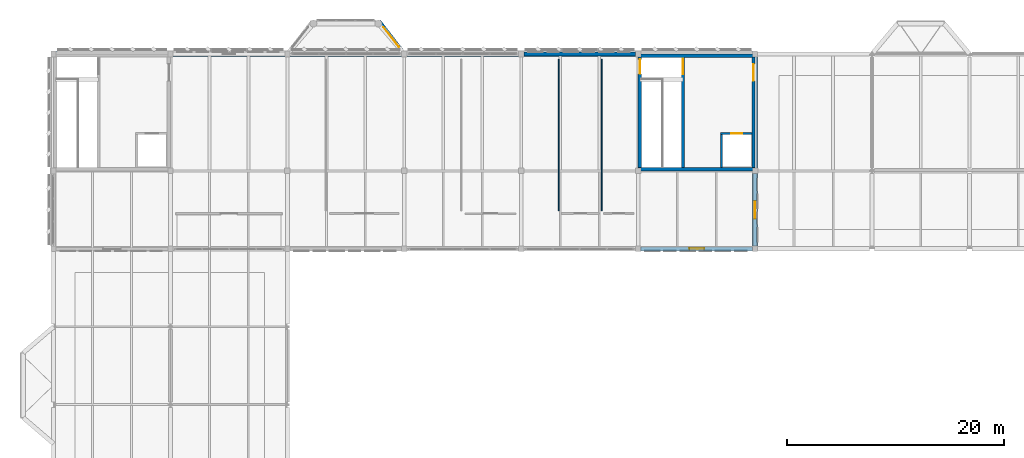
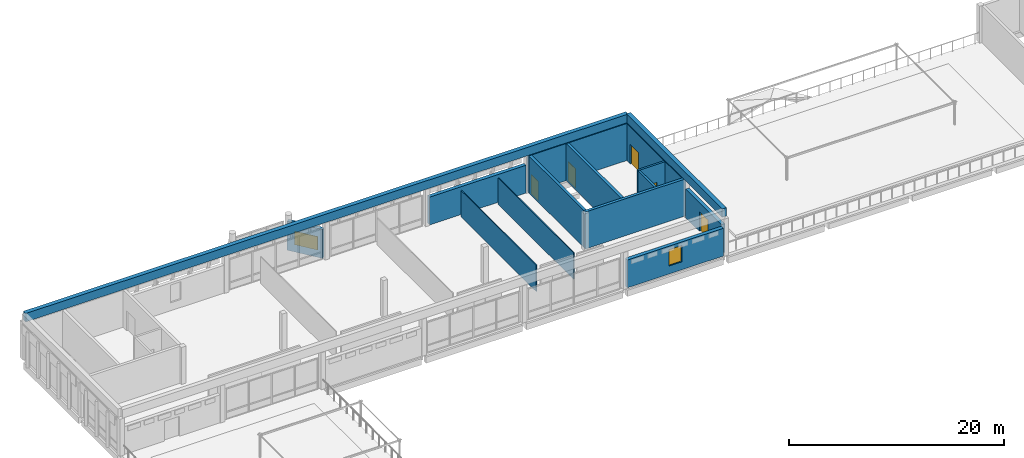
# One storey, part 26 of 33: 15 walls, 5 doors, 2 windows, 7 openings.
"""IFC4 building model written with IfcOpenShell, lengths in metres."""

from ifc_helpers import new_model, si_unit, direction, frame, frame_2d, origin, place, context, subcontext, project, spatial, rectangle, extrude, material, layer, layer_set, type_object, element, fill, save


model = new_model("IFC4")

# Units and contexts
model_context = context("Model", 3, precision=1e-05, world=origin(), true_north=direction((0.0, 1.0)))
body_context = subcontext(model_context, "Body", "Model", "MODEL_VIEW")
ifc_project = project(units=[si_unit("LENGTHUNIT", "METRE"), si_unit("AREAUNIT", "SQUARE_METRE"), si_unit("VOLUMEUNIT", "CUBIC_METRE"), si_unit("PLANEANGLEUNIT", "RADIAN"), si_unit("MASSUNIT", "GRAM", prefix="KILO")], contexts=[model_context])

# Site, building, storey
site_placement = place(None, origin())
site = spatial("IfcSite", under=ifc_project, at=site_placement, CompositionType="ELEMENT")
building_placement = place(site_placement, origin())
building = spatial("IfcBuilding", under=site, at=building_placement, Name="Lusvemor Sports Hall", CompositionType="ELEMENT")
storey_placement = place(building_placement, frame((0.0, 0.0, 19.199951171875)))
storey = spatial("IfcBuildingStorey", under=building, at=storey_placement, Name="L04", CompositionType="ELEMENT", Elevation=19.199951171875)

# Wall
ifc_material_1 = material(Name="Warm terracotta Art Nouveau ceramic cladding on Concrete C40/50 backing", Category="masonry")
ifc_layer_1 = layer(ifc_material_1, 0.3798828125)
ifc_layer_set_1 = layer_set([ifc_layer_1], Name="Warm terracotta Art Nouveau ceramic cladding on Concrete C40/50 backing")
wall_type_1 = type_object("IfcWallType", Name="EW_UPPER_250", PredefinedType="STANDARD", material=ifc_layer_set_1)
wall_1_placement = place(storey_placement, frame((43.43603515625, 115.199951171875, 0.0), z_axis=(0.0, 0.0, 1.0), x_axis=(1.0, 0.0, 0.0)))
element("IfcWall", 1, at=wall_1_placement, inside=storey, type_object=wall_type_1, Name="Exterior Wall EW-L04-N-1-4", PredefinedType="STANDARD", context=body_context, shape_type="SweptSolid", body=[
    extrude(rectangle(XDim=10.327880859375, YDim=0.3798828125, at=frame_2d((5.1640625, 0.0))), origin(), (0.0, 0.0, 1.0), 3.155029296875),
])

# Wall, opening, door
wall_2_placement = place(storey_placement, frame((64.800048828125, 104.154052734375, 0.0), z_axis=(0.0, 0.0, 1.0), x_axis=(0.0, -1.0, 0.0)))
wall_2 = element("IfcWall", 2, at=wall_2_placement, inside=storey, type_object=wall_type_1, Name="Exterior Wall EW-L04-E-2-0", PredefinedType="STANDARD", context=body_context, shape_type="SweptSolid", body=[
    extrude(rectangle(XDim=6.68798828125, YDim=0.3798828125, at=frame_2d((3.343994140625, 0.0))), origin(), (0.0, 0.0, 1.0), 3.2451171875),
])
opening_1_placement = place(wall_2_placement, frame((2.5439453125, 0.0, 0.0)))
opening_1 = element("IfcOpeningElement", 3, at=opening_1_placement, cuts=wall_2, Name="Opening ED09", PredefinedType="OPENING", context=body_context, shape_type="SweptSolid", body=[
    extrude(rectangle(XDim=1.6201171875, YDim=2.260009765625, at=frame_2d((0.81005859375, 1.1298828125))), frame((0.0, 0.18994140625, 0.0), z_axis=(0.0, -1.0, 0.0), x_axis=(1.0, 0.0, 0.0)), (0.0, 0.0, 1.0), 0.3798828125),
])
ifc_material_2 = material(Name="Thermally broken bronze-anodized aluminium", Category="aluminium")
door_type_1 = type_object("IfcDoorType", Name="EDR_GARDEN_162x226", OperationType="NOTDEFINED", PredefinedType="DOOR", material=ifc_material_2)
door_1_placement = place(opening_1_placement, origin())
door_1 = element("IfcDoor", 4, at=door_1_placement, inside=storey, type_object=door_type_1, Name="DR-035", OperationType="SINGLE_SWING_LEFT", OverallHeight=2.260009765625, OverallWidth=1.6201171875, PredefinedType="DOOR", context=body_context, shape_type="SweptSolid", body=[
    extrude(rectangle(XDim=1.6201171875, YDim=2.260009765625, at=frame_2d((0.81005859375, 1.1298828125))), frame((0.0, 0.02490234375, 0.0), z_axis=(0.0, -1.0, 0.0), x_axis=(1.0, 0.0, 0.0)), (0.0, 0.0, 1.0), 0.050048828125),
])
fill(opening_1, door_1)

# Wall, opening, window
wall_3_placement = place(storey_placement, frame((64.56396484375, 97.199951171875, 0.0), z_axis=(0.0, 0.0, 1.0), x_axis=(-1.0, 0.0, 0.0)))
wall_3 = element("IfcWall", 5, at=wall_3_placement, inside=storey, type_object=wall_type_1, Name="Exterior Wall EW-L04-S-3-5", PredefinedType="STANDARD", context=body_context, shape_type="SweptSolid", body=[
    extrude(rectangle(XDim=10.327880859375, YDim=0.3798828125, at=frame_2d((5.1640625, 0.0))), origin(), (0.0, 0.0, 1.0), 3.155029296875),
])
opening_2_placement = place(wall_3_placement, frame((4.48388671875, 0.0, 0.89990234375)))
opening_2 = element("IfcOpeningElement", 6, at=opening_2_placement, cuts=wall_3, Name="Opening WN32", PredefinedType="OPENING", context=body_context, shape_type="SweptSolid", body=[
    extrude(rectangle(XDim=1.360107421875, YDim=1.860107421875, at=frame_2d((0.68017578125, 0.93017578125))), frame((0.0, 0.18994140625, 0.0), z_axis=(0.0, -1.0, 0.0), x_axis=(1.0, 0.0, 0.0)), (0.0, 0.0, 1.0), 0.3798828125),
])
ifc_material_3 = material(Name="Solar-control laminated double glazing", Category="glass")
window_type_1 = type_object("IfcWindowType", Name="WIN_32", PartitioningType="SINGLE_PANEL", PredefinedType="WINDOW", material=ifc_material_3)
window_1_placement = place(opening_2_placement, origin())
window_1 = element("IfcWindow", 7, at=window_1_placement, inside=storey, type_object=window_type_1, Name="Wing Window L04-S-3-5", OverallHeight=1.860107421875, OverallWidth=1.360107421875, PartitioningType="SINGLE_PANEL", PredefinedType="WINDOW", context=body_context, shape_type="SweptSolid", body=[
    extrude(rectangle(XDim=1.360107421875, YDim=1.860107421875, at=frame_2d((0.68017578125, 0.93017578125))), frame((0.0, 0.030029296875, 0.0), z_axis=(0.0, -1.0, 0.0), x_axis=(1.0, 0.0, 0.0)), (0.0, 0.0, 1.0), 0.06005859375),
])
fill(opening_2, window_1)

ifc_material_4 = material(Name="Emerald polychrome glazed ceramic cladding on Concrete C40/50 backing", Category="concrete")
ifc_layer_2 = layer(ifc_material_4, 0.364990234375)
ifc_layer_set_2 = layer_set([ifc_layer_2], Name="Emerald polychrome glazed ceramic cladding on Concrete C40/50 backing")
wall_type_2 = type_object("IfcWallType", Name="EW_WAVE_CER_365", PredefinedType="STANDARD", material=ifc_layer_set_2)
wall_4_placement = place(storey_placement, frame((30.073486328125, 118.205078125, 0.0), z_axis=(0.0, 0.0, 1.0), x_axis=(0.612206385164, -0.790698009334, 0.0)))
wall_4 = element("IfcWall", 8, at=wall_4_placement, inside=storey, type_object=wall_type_2, Name="Art Nouveau Bow Wall EW-BOW-N1-L04-3", PredefinedType="STANDARD", context=body_context, shape_type="SweptSolid", body=[
    extrude(rectangle(XDim=3.560302734375, YDim=0.364990234375, at=frame_2d((1.7802734375, 0.0))), origin(), (0.0, 0.0, 1.0), 3.280029296875),
])
opening_3_placement = place(wall_4_placement, frame((0.679931640625, 0.0, 0.699951171875)))
opening_3 = element("IfcOpeningElement", 9, at=opening_3_placement, cuts=wall_4, Name="Opening WN21", PredefinedType="OPENING", context=body_context, shape_type="SweptSolid", body=[
    extrude(rectangle(XDim=2.320068359375, YDim=1.52001953125, at=frame_2d((1.16015625, 0.760009765625))), frame((0.0, 0.1826171875, 0.0), z_axis=(0.0, -1.0, 0.0), x_axis=(1.0, 0.0, 0.0)), (0.0, 0.0, 1.0), 0.364990234375),
])
ifc_material_5 = material(Name="Solar-control laminated double glazing", Category="glass")
window_type_2 = type_object("IfcWindowType", Name="WIN_21", PartitioningType="SINGLE_PANEL", PredefinedType="WINDOW", material=ifc_material_5)
window_2_placement = place(opening_3_placement, origin())
window_2 = element("IfcWindow", 10, at=window_2_placement, inside=storey, type_object=window_type_2, Name="Art Nouveau Bow Window BOW-N1 L04-3", OverallHeight=1.52001953125, OverallWidth=2.320068359375, PartitioningType="SINGLE_PANEL", PredefinedType="WINDOW", context=body_context, shape_type="SweptSolid", body=[
    extrude(rectangle(XDim=2.320068359375, YDim=1.52001953125, at=frame_2d((1.16015625, 0.760009765625))), frame((0.0, 0.030029296875, 0.0), z_axis=(0.0, -1.0, 0.0), x_axis=(1.0, 0.0, 0.0)), (0.0, 0.0, 1.0), 0.06005859375),
])
fill(opening_3, window_2)

# Walls
ifc_material_6 = material(Name="Double-leaf acoustic gypsum board on metal studs")
ifc_layer_3 = layer(ifc_material_6, 0.10009765625)
ifc_layer_set_3 = layer_set([ifc_layer_3], Name="Double-leaf acoustic gypsum board on metal studs")
wall_type_3 = type_object("IfcWallType", Name="IW_PART_108", PredefinedType="STANDARD", material=ifc_layer_set_3)
for number, where, z_axis, x_axis, name in (
    (11, (46.64990234375, 100.699951171875, 0.0), (0.0, 0.0, 1.0), (0.0, 1.0, 0.0), "Partition IW-L04-CNNDIV-46"),
    (12, (50.64990234375, 100.699951171875, 0.0), (0.0, 0.0, 1.0), (0.0, 1.0, 0.0), "Partition IW-L04-CNNDIV-50"),
):
    element("IfcWall", number, at=place(storey_placement, frame(where, z_axis=z_axis, x_axis=x_axis)), inside=storey, type_object=wall_type_3, Name=name, PredefinedType="STANDARD", context=body_context, shape_type="SweptSolid", body=[
        extrude(rectangle(XDim=14.0, YDim=0.10009765625, at=frame_2d((7.0, 0.0))), origin(), (0.0, 0.0, 1.0), 3.0),
    ])

# Wall, opening, door
ifc_material_7 = material(Name="Concrete C40/50", Category="concrete")
ifc_layer_4 = layer(ifc_material_7, 0.2099609375)
ifc_layer_set_4 = layer_set([ifc_layer_4], Name="Concrete C40/50")
wall_type_4 = type_object("IfcWallType", Name="IW_SHFT_212", PredefinedType="STANDARD", material=ifc_layer_set_4)
wall_5_placement = place(storey_placement, frame((61.590087890625, 107.85009765625, 0.0), z_axis=(0.0, 0.0, 1.0), x_axis=(1.0, 0.0, 0.0)))
wall_5 = element("IfcWall", 13, at=wall_5_placement, inside=storey, type_object=wall_type_4, Name="Lift LP-01 Shaft Front Wall (L04)", PredefinedType="STANDARD", context=body_context, shape_type="SweptSolid", body=[
    extrude(rectangle(XDim=2.909912109375, YDim=0.2099609375, at=frame_2d((1.455078125, 0.0))), origin(), (0.0, 0.0, 1.0), 4.199951171875),
])
opening_4_placement = place(wall_5_placement, frame((0.989990234375, 0.0, 0.0)))
opening_4 = element("IfcOpeningElement", 14, at=opening_4_placement, cuts=wall_5, Name="Opening LD-02", PredefinedType="OPENING", context=body_context, shape_type="SweptSolid", body=[
    extrude(rectangle(XDim=1.0400390625, YDim=2.159912109375, at=frame_2d((0.52001953125, 1.080078125))), frame((0.0, 0.10498046875, 0.0), z_axis=(0.0, -1.0, 0.0), x_axis=(1.0, 0.0, 0.0)), (0.0, 0.0, 1.0), 0.2099609375),
])
ifc_material_8 = material(Name="Brushed stainless-steel sliding lift landing door", Category="steel")
door_type_2 = type_object("IfcDoorType", Name="LIFT_DOOR_PAX_104", OperationType="NOTDEFINED", PredefinedType="DOOR", material=ifc_material_8)
door_2_placement = place(opening_4_placement, origin())
door_2 = element("IfcDoor", 15, at=door_2_placement, inside=storey, type_object=door_type_2, Name="DR-056", OperationType="SLIDING_TO_LEFT", OverallHeight=2.159912109375, OverallWidth=1.0400390625, PredefinedType="DOOR", context=body_context, shape_type="SweptSolid", body=[
    extrude(rectangle(XDim=1.0400390625, YDim=2.159912109375, at=frame_2d((0.52001953125, 1.080078125))), frame((0.0, 0.02490234375, 0.0), z_axis=(0.0, -1.0, 0.0), x_axis=(1.0, 0.0, 0.0)), (0.0, 0.0, 1.0), 0.050048828125),
])
fill(opening_4, door_2)

# Walls
wall_6_placement = place(storey_placement, frame((61.695068359375, 104.699951171875, 0.0), z_axis=(0.0, 0.0, 1.0), x_axis=(0.0, 1.0, 0.0)))
element("IfcWall", 16, at=wall_6_placement, inside=storey, type_object=wall_type_4, Name="Lift LP-01 Shaft Side Wall (L04)", PredefinedType="STANDARD", context=body_context, shape_type="SweptSolid", body=[
    extrude(rectangle(XDim=3.045166015625, YDim=0.2099609375, at=frame_2d((1.5224609375, 0.0))), origin(), (0.0, 0.0, 1.0), 4.199951171875),
])
ifc_material_9 = material(Name="Precast concrete C40/50", Category="concrete")
ifc_layer_5 = layer(ifc_material_9, 0.43994140625)
ifc_layer_set_5 = layer_set([ifc_layer_5], Name="Precast concrete C40/50")
wall_type_5 = type_object("IfcWallType", Name="PARAPET_ROOF_190", PredefinedType="PARAPET", material=ifc_layer_set_5)
wall_7_placement = place(storey_placement, frame((0.10009765625, 115.199951171875, 4.199951171875), z_axis=(0.0, 0.0, 1.0), x_axis=(1.0, 0.0, 0.0)))
element("IfcWall", 17, at=wall_7_placement, inside=storey, type_object=wall_type_5, Name="Exterior Wall PW-V5NW-N", PredefinedType="PARAPET", context=body_context, shape_type="SweptSolid", body=[
    extrude(rectangle(XDim=64.599853515625, YDim=0.43994140625, at=frame_2d((32.2998046875, 0.0))), origin(), (0.0, 0.0, 1.0), 0.9501953125),
])
wall_8_placement = place(storey_placement, frame((64.800048828125, 115.10009765625, 4.199951171875), z_axis=(0.0, 0.0, 1.0), x_axis=(0.0, -1.0, 0.0)))
element("IfcWall", 18, at=wall_8_placement, inside=storey, type_object=wall_type_5, Name="Exterior Wall PW-V5NW-E", PredefinedType="PARAPET", context=body_context, shape_type="SweptSolid", body=[
    extrude(rectangle(XDim=17.800048828125, YDim=0.43994140625, at=frame_2d((8.89990234375, 0.0))), origin(), (0.0, 0.0, 1.0), 0.9501953125),
])
ifc_material_10 = material(Name="Concrete C40/50", Category="concrete")
ifc_layer_6 = layer(ifc_material_10, 0.300048828125)
ifc_layer_set_6 = layer_set([ifc_layer_6], Name="Concrete C40/50")
wall_type_6 = type_object("IfcWallType", Name="WALL_CORE_300_INT", PredefinedType="SHEAR", material=ifc_layer_set_6)
wall_9_placement = place(storey_placement, frame((64.800048828125, 104.550048828125, 0.0), z_axis=(0.0, 0.0, 1.0), x_axis=(-1.0, 0.0, 0.0)))
element("IfcWall", 19, at=wall_9_placement, inside=storey, type_object=wall_type_6, Name="Core C2 North-West-Mid Shear Wall S (L04)", PredefinedType="SHEAR", context=body_context, shape_type="SweptSolid", body=[
    extrude(rectangle(XDim=10.800048828125, YDim=0.300048828125, at=frame_2d((5.39990234375, 0.0))), origin(), (0.0, 0.0, 1.0), 4.199951171875),
])

# Wall, opening, door
wall_10_placement = place(storey_placement, frame((54.14990234375, 104.699951171875, 0.0), z_axis=(0.0, 0.0, 1.0), x_axis=(0.0, 1.0, 0.0)))
wall_10 = element("IfcWall", 20, at=wall_10_placement, inside=storey, type_object=wall_type_6, Name="Core C2 North-West-Mid Shear Wall W (L04)", PredefinedType="SHEAR", context=body_context, shape_type="SweptSolid", body=[
    extrude(rectangle(XDim=10.199951171875, YDim=0.300048828125, at=frame_2d((5.10009765625, 0.0))), origin(), (0.0, 0.0, 1.0), 4.199951171875),
])
opening_5_placement = place(wall_10_placement, frame((8.659912109375, 0.0, 0.0)))
opening_5 = element("IfcOpeningElement", 21, at=opening_5_placement, cuts=wall_10, Name="Opening DR-FD90-02", PredefinedType="OPENING", context=body_context, shape_type="SweptSolid", body=[
    extrude(rectangle(XDim=1.340087890625, YDim=2.179931640625, at=frame_2d((0.669921875, 1.08984375))), frame((0.0, 0.14990234375, 0.0), z_axis=(0.0, -1.0, 0.0), x_axis=(1.0, 0.0, 0.0)), (0.0, 0.0, 1.0), 0.300048828125),
])
ifc_material_11 = material(Name="Fire-rated insulated painted steel door assembly", Category="steel")
door_type_3 = type_object("IfcDoorType", Name="IDR_STAIR_FD90_134", OperationType="NOTDEFINED", PredefinedType="DOOR", material=ifc_material_11)
door_3_placement = place(opening_5_placement, origin())
door_3 = element("IfcDoor", 22, at=door_3_placement, inside=storey, type_object=door_type_3, Name="DR-067", OperationType="SINGLE_SWING_LEFT", OverallHeight=2.179931640625, OverallWidth=1.340087890625, PredefinedType="DOOR", context=body_context, shape_type="SweptSolid", body=[
    extrude(rectangle(XDim=1.340087890625, YDim=2.179931640625, at=frame_2d((0.669921875, 1.08984375))), frame((0.0, 0.02490234375, 0.0), z_axis=(0.0, -1.0, 0.0), x_axis=(1.0, 0.0, 0.0)), (0.0, 0.0, 1.0), 0.050048828125),
])
fill(opening_5, door_3)

wall_11_placement = place(storey_placement, frame((64.64990234375, 114.89990234375, 0.0), z_axis=(0.0, 0.0, 1.0), x_axis=(0.0, -1.0, 0.0)))
wall_11 = element("IfcWall", 23, at=wall_11_placement, inside=storey, type_object=wall_type_6, Name="Core C2 North-West-Mid Shear Wall E (L04)", PredefinedType="SHEAR", context=body_context, shape_type="SweptSolid", body=[
    extrude(rectangle(XDim=10.199951171875, YDim=0.300048828125, at=frame_2d((5.10009765625, 0.0))), origin(), (0.0, 0.0, 1.0), 4.199951171875),
])
opening_6_placement = place(wall_11_placement, frame((0.64990234375, 0.0, 0.0)))
opening_6 = element("IfcOpeningElement", 24, at=opening_6_placement, cuts=wall_11, Name="Opening DR-FD60-01", PredefinedType="OPENING", context=body_context, shape_type="SweptSolid", body=[
    extrude(rectangle(XDim=1.5400390625, YDim=2.219970703125, at=frame_2d((0.77001953125, 1.10986328125))), frame((0.0, 0.14990234375, 0.0), z_axis=(0.0, -1.0, 0.0), x_axis=(1.0, 0.0, 0.0)), (0.0, 0.0, 1.0), 0.300048828125),
])
ifc_material_12 = material(Name="Fire-rated insulated painted steel door assembly", Category="steel")
door_type_4 = type_object("IfcDoorType", Name="IDR_LOBBY_FD60_154", OperationType="NOTDEFINED", PredefinedType="DOOR", material=ifc_material_12)
door_4_placement = place(opening_6_placement, origin())
door_4 = element("IfcDoor", 25, at=door_4_placement, inside=storey, type_object=door_type_4, Name="DR-066", OperationType="SINGLE_SWING_RIGHT", OverallHeight=2.219970703125, OverallWidth=1.5400390625, PredefinedType="DOOR", context=body_context, shape_type="SweptSolid", body=[
    extrude(rectangle(XDim=1.5400390625, YDim=2.219970703125, at=frame_2d((0.77001953125, 1.10986328125))), frame((0.0, 0.02490234375, 0.0), z_axis=(0.0, -1.0, 0.0), x_axis=(1.0, 0.0, 0.0)), (0.0, 0.0, 1.0), 0.050048828125),
])
fill(opening_6, door_4)

wall_12_placement = place(storey_placement, frame((58.14990234375, 104.699951171875, 0.0), z_axis=(0.0, 0.0, 1.0), x_axis=(0.0, 1.0, 0.0)))
wall_12 = element("IfcWall", 26, at=wall_12_placement, inside=storey, type_object=wall_type_6, Name="Core C2 North-West-Mid Shear Wall M (L04)", PredefinedType="SHEAR", context=body_context, shape_type="SweptSolid", body=[
    extrude(rectangle(XDim=10.199951171875, YDim=0.300048828125, at=frame_2d((5.10009765625, 0.0))), origin(), (0.0, 0.0, 1.0), 4.199951171875),
])
opening_7_placement = place(wall_12_placement, frame((8.6298828125, 0.0, 0.0)))
opening_7 = element("IfcOpeningElement", 27, at=opening_7_placement, cuts=wall_12, Name="Opening DR-FD90-01", PredefinedType="OPENING", context=body_context, shape_type="SweptSolid", body=[
    extrude(rectangle(XDim=1.419921875, YDim=2.199951171875, at=frame_2d((0.7099609375, 1.10009765625))), frame((0.0, 0.14990234375, 0.0), z_axis=(0.0, -1.0, 0.0), x_axis=(1.0, 0.0, 0.0)), (0.0, 0.0, 1.0), 0.300048828125),
])
ifc_material_13 = material(Name="Fire-rated insulated painted steel door assembly", Category="steel")
door_type_5 = type_object("IfcDoorType", Name="IDR_STAIR_FD90_142", OperationType="NOTDEFINED", PredefinedType="DOOR", material=ifc_material_13)
door_5_placement = place(opening_7_placement, origin())
door_5 = element("IfcDoor", 28, at=door_5_placement, inside=storey, type_object=door_type_5, Name="DR-065", OperationType="SINGLE_SWING_LEFT", OverallHeight=2.199951171875, OverallWidth=1.419921875, PredefinedType="DOOR", context=body_context, shape_type="SweptSolid", body=[
    extrude(rectangle(XDim=1.419921875, YDim=2.199951171875, at=frame_2d((0.7099609375, 1.10009765625))), frame((0.0, 0.02490234375, 0.0), z_axis=(0.0, -1.0, 0.0), x_axis=(1.0, 0.0, 0.0)), (0.0, 0.0, 1.0), 0.050048828125),
])
fill(opening_7, door_5)

# Wall
ifc_material_14 = material(Name="Concrete C40/50", Category="concrete")
ifc_layer_7 = layer(ifc_material_14, 0.324951171875)
ifc_layer_set_7 = layer_set([ifc_layer_7], Name="Concrete C40/50")
wall_type_7 = type_object("IfcWallType", Name="WALL_CORE_325_EXT", PredefinedType="SHEAR", material=ifc_layer_set_7)
wall_13_placement = place(storey_placement, frame((54.0, 115.050048828125, 0.0), z_axis=(0.0, 0.0, 1.0), x_axis=(1.0, 0.0, 0.0)))
element("IfcWall", 29, at=wall_13_placement, inside=storey, type_object=wall_type_7, Name="Core C2 North-West-Mid Shear Wall N (L04)", PredefinedType="SHEAR", context=body_context, shape_type="SweptSolid", body=[
    extrude(rectangle(XDim=10.800048828125, YDim=0.324951171875, at=frame_2d((5.39990234375, 0.0))), origin(), (0.0, 0.0, 1.0), 4.199951171875),
])

save(model, "model.ifc")
